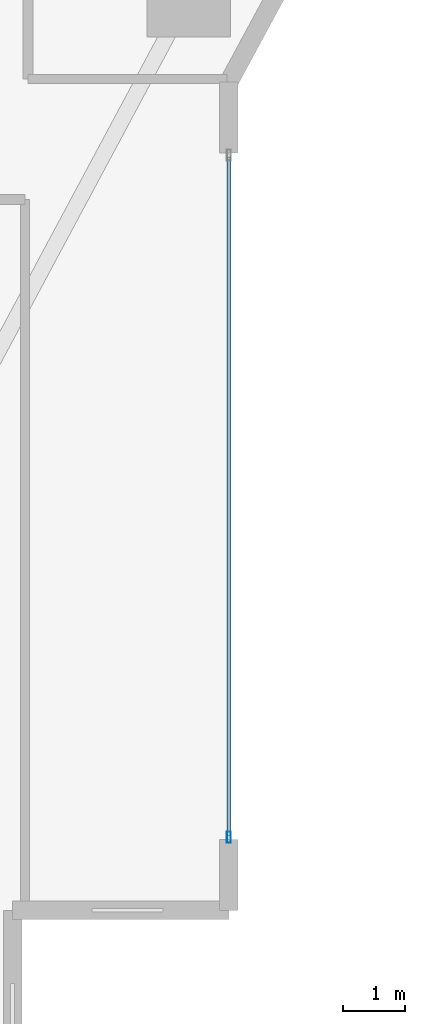
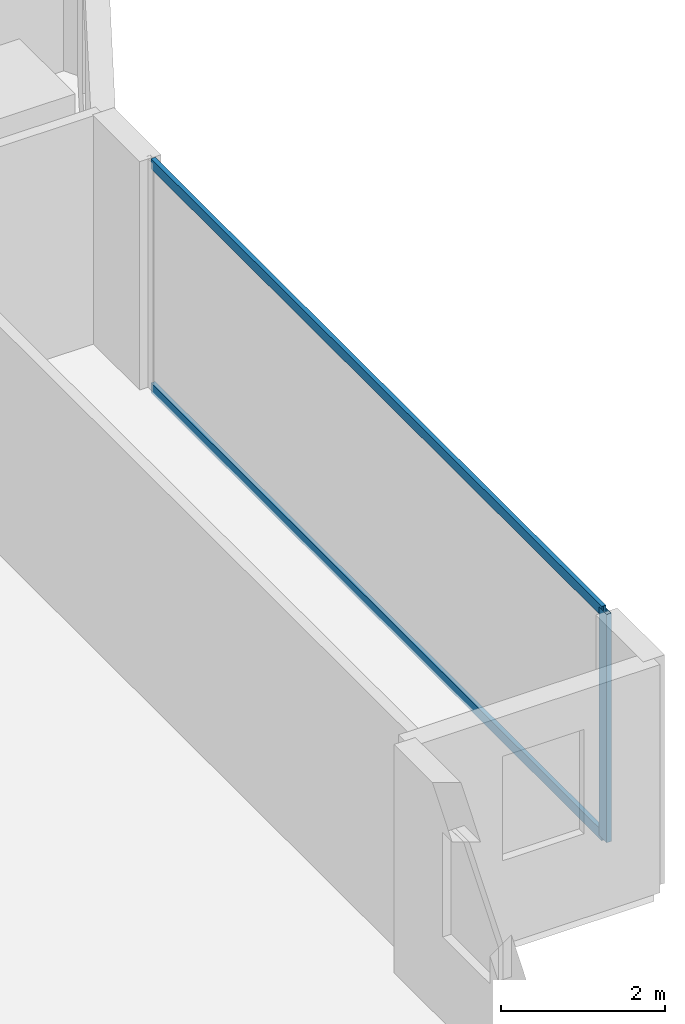
# One storey, part 11 of 29: 3 members, 1 element without a shape of its own.
"""IFC4 building model written with IfcOpenShell, lengths in metres."""

from ifc_helpers import new_model, si_unit, direction, frame, origin, origin_2d, place, context, subcontext, project, spatial, hollow_rectangle, extrude, material, layer, layer_set, material_profile, profile_set, type_object, element, aggregate, save


model = new_model("IFC4")

# Units and contexts
model_context = context("Model", 3, precision=1e-05, world=origin(), true_north=direction((0.0, 1.0)))
body_context = subcontext(model_context, "Body", "Model", "MODEL_VIEW")
ifc_project = project(units=[si_unit("LENGTHUNIT", "METRE"), si_unit("AREAUNIT", "SQUARE_METRE"), si_unit("VOLUMEUNIT", "CUBIC_METRE"), si_unit("PLANEANGLEUNIT", "RADIAN"), si_unit("MASSUNIT", "GRAM", prefix="KILO")], contexts=[model_context])

# Site, building, storey
site_placement = place(None, origin())
site = spatial("IfcSite", under=ifc_project, at=site_placement, CompositionType="ELEMENT")
building_placement = place(site_placement, origin())
building = spatial("IfcBuilding", under=site, at=building_placement, Name="Zuhayl Quay Hotel", CompositionType="ELEMENT")
storey_placement = place(building_placement, frame((0.0, 0.0, 158.550048828125)))
storey = spatial("IfcBuildingStorey", under=building, at=storey_placement, Name="L40", CompositionType="ELEMENT", Elevation=158.550048828125)

# Curtain wall, members
ifc_material_1 = material(Name="Anodised Aluminium 6063-T6", Category="aluminium")
ifc_layer = layer(ifc_material_1, 0.179931640625, Name="Anodised Aluminium 6063-T6", Category="aluminium")
ifc_layer_set = layer_set([ifc_layer], Name="Anodised Aluminium 6063-T6")
curtain_wall_type = type_object("IfcCurtainWallType", Name="CW_SYS_Z2", PredefinedType="USERDEFINED", material=ifc_layer_set)
curtain_wall_placement = place(storey_placement, origin())
curtain_wall = element("IfcCurtainWall", 1, at=curtain_wall_placement, inside=storey, type_object=curtain_wall_type, Name="L40 Curtain Wall ENV_L40_E14_CW1", ObjectType="UNITISED CURTAIN WALL", PredefinedType="USERDEFINED")
ifc_material_2 = material(Name="Black-anodised aluminium 6063-T6", Category="aluminium")
ifc_material_profile_1 = material_profile(ifc_material_2, hollow_rectangle(XDim=0.06494140625, YDim=0.179931640625, WallThickness=0.00341796875, at=origin_2d()), Name="ALU180X65")
ifc_profile_set_1 = profile_set([ifc_material_profile_1], Name="Black-anodised aluminium 6063-T6")
member_type_1 = type_object("IfcMemberType", Name="MB_CW_MUL_180", PredefinedType="MULLION", material=ifc_profile_set_1)
member_1_placement = place(storey_placement, frame((23.89990234375, -10.717529296875, 0.0), z_axis=(0.0, 0.0, 1.0), x_axis=(1.0, 0.0, 0.0)))
member_1 = element("IfcMember", 2, at=member_1_placement, type_object=member_type_1, Name="CW-Z2 mullion 2", PredefinedType="MULLION", context=body_context, shape_type="SweptSolid", body=[
    extrude(hollow_rectangle(XDim=0.06494140625, YDim=0.179931640625, WallThickness=0.00341796875, at=origin_2d()), origin(), (0.0, 0.0, 1.0), 3.389892578125),
])
ifc_material_profile_2 = material_profile(ifc_material_2, hollow_rectangle(XDim=0.06005859375, YDim=0.14990234375, WallThickness=0.00341796875, at=origin_2d()), Name="ALU150X60")
ifc_profile_set_2 = profile_set([ifc_material_profile_2], Name="Black-anodised aluminium 6063-T6")
member_type_2 = type_object("IfcMemberType", Name="MB_CW_TRN_150", PredefinedType="USERDEFINED", material=ifc_profile_set_2)
member_2_placement = place(storey_placement, frame((23.89990234375, 0.284912109375, 0.030029296875), z_axis=(0.0, -1.0, 0.0), x_axis=(1.0, 0.0, 0.0)))
member_2 = element("IfcMember", 3, at=member_2_placement, type_object=member_type_2, Name="CW-Z2 transom 1.1", ObjectType="TRANSOM", PredefinedType="USERDEFINED", context=body_context, shape_type="SweptSolid", body=[
    extrude(hollow_rectangle(XDim=0.06005859375, YDim=0.14990234375, WallThickness=0.00341796875, at=origin_2d()), origin(), (0.0, 0.0, 1.0), 10.969970703125),
])
member_3_placement = place(storey_placement, frame((23.89990234375, 0.284912109375, 3.35986328125), z_axis=(0.0, -1.0, 0.0), x_axis=(1.0, 0.0, 0.0)))
member_3 = element("IfcMember", 4, at=member_3_placement, type_object=member_type_2, Name="CW-Z2 transom 1.2", ObjectType="TRANSOM", PredefinedType="USERDEFINED", context=body_context, shape_type="SweptSolid", body=[
    extrude(hollow_rectangle(XDim=0.06005859375, YDim=0.14990234375, WallThickness=0.00341796875, at=origin_2d()), origin(), (0.0, 0.0, 1.0), 10.969970703125),
])
aggregate(curtain_wall, [member_1, member_2, member_3])

save(model, "model.ifc")
